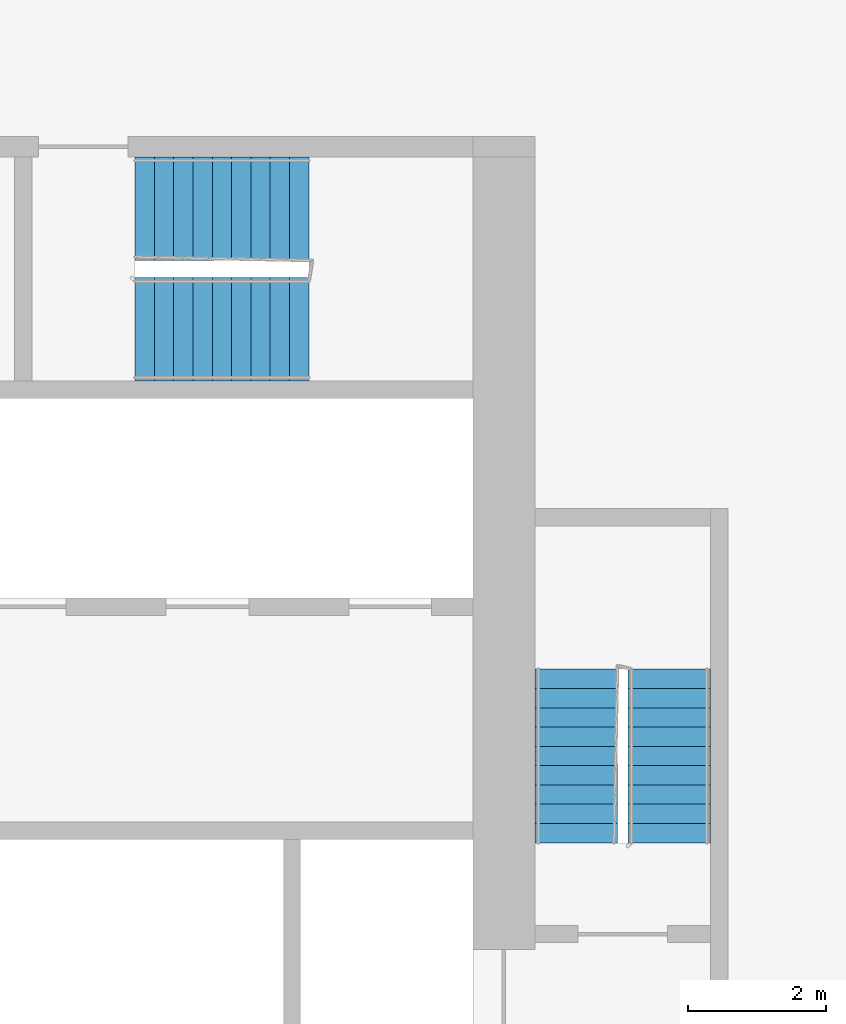
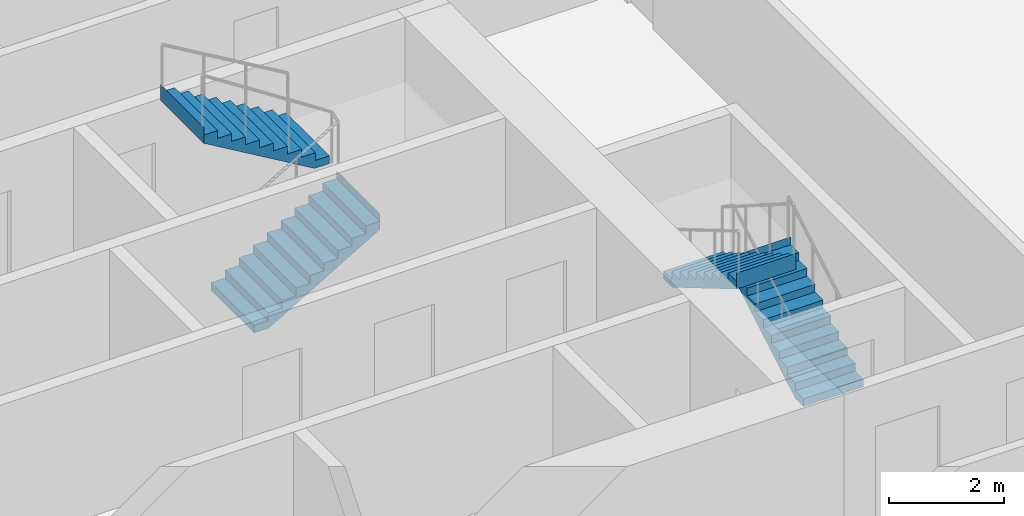
# One storey, part 11 of 12: 4 stair flights, 2 elements without a shape of their own.
"""IFC4 building model written with IfcOpenShell, lengths in metres."""

from ifc_helpers import new_model, si_unit, direction, frame, origin, place, context, subcontext, project, spatial, faceted_brep, material, type_object, element, aggregate, save


model = new_model("IFC4")

# Units and contexts
model_context = context("Model", 3, precision=1e-05, world=origin(), true_north=direction((0.0, 1.0)))
body_context = subcontext(model_context, "Body", "Model", "MODEL_VIEW")
ifc_project = project(units=[si_unit("LENGTHUNIT", "METRE"), si_unit("AREAUNIT", "SQUARE_METRE"), si_unit("VOLUMEUNIT", "CUBIC_METRE"), si_unit("PLANEANGLEUNIT", "RADIAN"), si_unit("MASSUNIT", "GRAM", prefix="KILO")], contexts=[model_context])

# Site, building, storey
site_placement = place(None, origin())
site = spatial("IfcSite", under=ifc_project, at=site_placement, CompositionType="ELEMENT")
building_placement = place(site_placement, origin())
building = spatial("IfcBuilding", under=site, at=building_placement, Name="Kajstack Hotel Tower", CompositionType="ELEMENT")
storey_placement = place(building_placement, frame((0.0, 0.0, 96.300048828125)))
storey = spatial("IfcBuildingStorey", under=building, at=storey_placement, Name="L20", CompositionType="ELEMENT", Elevation=96.300048828125)

# Stair, stair flights
ifc_material = material(Name="Concrete C40/50", Category="concrete")
stair_type_1 = type_object("IfcStairType", Name="Exit stair 1200", PredefinedType="HALF_TURN_STAIR", material=ifc_material)
stair_1_placement = place(storey_placement, origin())
stair_1 = element("IfcStair", 1, at=stair_1_placement, inside=storey, type_object=stair_type_1, Name="L20 stair E1", PredefinedType="HALF_TURN_STAIR")
stair_flight_type_1 = type_object("IfcStairFlightType", Name="Exit stair flight 1200", PredefinedType="STRAIGHT", material=ifc_material)
stair_flight_1_placement = place(storey_placement, frame((33.449951171875, 5.25, 0.0), z_axis=(0.0, 0.0, 1.0), x_axis=(0.0, 1.0, 0.0)))
stair_flight_1 = element("IfcStairFlight", 2, at=stair_flight_1_placement, type_object=stair_flight_type_1, Name="E1 flight 1", NumberOfRisers=10, NumberOfTreads=9, PredefinedType="STRAIGHT", RiserHeight=0.165, TreadLength=0.28, context=body_context, shape_type="Brep", body=[
    faceted_brep([(0.295654296875, -0.60009765625, 0.0), (2.5205078125, -0.60009765625, 1.31103515625), (2.5205078125, -0.60009765625, 1.64990234375), (2.52001953125, -0.60009765625, 1.64990234375), (2.52001953125, -0.60009765625, 1.485107421875), (2.239990234375, -0.60009765625, 1.485107421875), (2.239990234375, -0.60009765625, 1.320068359375), (1.9599609375, -0.60009765625, 1.320068359375), (1.9599609375, -0.60009765625, 1.155029296875), (1.679931640625, -0.60009765625, 1.155029296875), (1.679931640625, -0.60009765625, 0.989990234375), (1.39990234375, -0.60009765625, 0.989990234375), (1.39990234375, -0.60009765625, 0.824951171875), (1.1201171875, -0.60009765625, 0.824951171875), (1.1201171875, -0.60009765625, 0.659912109375), (0.840087890625, -0.60009765625, 0.659912109375), (0.840087890625, -0.60009765625, 0.4951171875), (0.56005859375, -0.60009765625, 0.4951171875), (0.56005859375, -0.60009765625, 0.330078125), (0.280029296875, -0.60009765625, 0.330078125), (0.280029296875, -0.60009765625, 0.1650390625), (-0.00048828125, -0.60009765625, 0.1650390625), (-0.00048828125, -0.60009765625, 0.0), (-0.00048828125, 0.60009765625, 0.0), (-0.00048828125, 0.60009765625, 0.1650390625), (0.280029296875, 0.60009765625, 0.1650390625), (0.280029296875, 0.60009765625, 0.330078125), (0.56005859375, 0.60009765625, 0.330078125), (0.56005859375, 0.60009765625, 0.4951171875), (0.840087890625, 0.60009765625, 0.4951171875), (0.840087890625, 0.60009765625, 0.659912109375), (1.1201171875, 0.60009765625, 0.659912109375), (1.1201171875, 0.60009765625, 0.824951171875), (1.39990234375, 0.60009765625, 0.824951171875), (1.39990234375, 0.60009765625, 0.989990234375), (1.679931640625, 0.60009765625, 0.989990234375), (1.679931640625, 0.60009765625, 1.155029296875), (1.9599609375, 0.60009765625, 1.155029296875), (1.9599609375, 0.60009765625, 1.320068359375), (2.239990234375, 0.60009765625, 1.320068359375), (2.239990234375, 0.60009765625, 1.485107421875), (2.52001953125, 0.60009765625, 1.485107421875), (2.52001953125, 0.60009765625, 1.64990234375), (2.5205078125, 0.60009765625, 1.64990234375), (2.5205078125, 0.60009765625, 1.31103515625), (0.295654296875, 0.60009765625, 0.0), (-0.00048828125, -0.300048828125, 0.1650390625), (-0.00048828125, 0.0, 0.1650390625), (-0.00048828125, 0.300048828125, 0.1650390625), (-0.00048828125, 0.300048828125, 0.0), (-0.00048828125, 0.0, 0.0), (-0.00048828125, -0.300048828125, 0.0), (0.280029296875, -0.300048828125, 0.1650390625), (0.280029296875, 0.0, 0.1650390625), (0.280029296875, 0.300048828125, 0.1650390625), (0.280029296875, -0.300048828125, 0.330078125), (0.280029296875, 0.0, 0.330078125), (0.280029296875, 0.300048828125, 0.330078125), (0.56005859375, -0.300048828125, 0.330078125), (0.56005859375, 0.0, 0.330078125), (0.56005859375, 0.300048828125, 0.330078125), (0.56005859375, -0.300048828125, 0.4951171875), (0.56005859375, 0.0, 0.4951171875), (0.56005859375, 0.300048828125, 0.4951171875), (0.840087890625, -0.300048828125, 0.4951171875), (0.840087890625, 0.0, 0.4951171875), (0.840087890625, 0.300048828125, 0.4951171875), (0.840087890625, -0.300048828125, 0.659912109375), (0.840087890625, 0.0, 0.659912109375), (0.840087890625, 0.300048828125, 0.659912109375), (1.1201171875, -0.300048828125, 0.659912109375), (1.1201171875, 0.0, 0.659912109375), (1.1201171875, 0.300048828125, 0.659912109375), (1.1201171875, -0.300048828125, 0.824951171875), (1.1201171875, 0.0, 0.824951171875), (1.1201171875, 0.300048828125, 0.824951171875), (1.39990234375, -0.300048828125, 0.824951171875), (1.39990234375, 0.0, 0.824951171875), (1.39990234375, 0.300048828125, 0.824951171875), (1.39990234375, -0.300048828125, 0.989990234375), (1.39990234375, 0.0, 0.989990234375), (1.39990234375, 0.300048828125, 0.989990234375), (1.679931640625, -0.300048828125, 0.989990234375), (1.679931640625, 0.0, 0.989990234375), (1.679931640625, 0.300048828125, 0.989990234375), (1.679931640625, -0.300048828125, 1.155029296875), (1.679931640625, 0.0, 1.155029296875), (1.679931640625, 0.300048828125, 1.155029296875), (1.9599609375, -0.300048828125, 1.155029296875), (1.9599609375, 0.0, 1.155029296875), (1.9599609375, 0.300048828125, 1.155029296875), (1.9599609375, -0.300048828125, 1.320068359375), (1.9599609375, 0.0, 1.320068359375), (1.9599609375, 0.300048828125, 1.320068359375), (2.239990234375, -0.300048828125, 1.320068359375), (2.239990234375, 0.0, 1.320068359375), (2.239990234375, 0.300048828125, 1.320068359375), (2.239990234375, -0.300048828125, 1.485107421875), (2.239990234375, 0.0, 1.485107421875), (2.239990234375, 0.300048828125, 1.485107421875), (2.52001953125, -0.300048828125, 1.485107421875), (2.52001953125, 0.0, 1.485107421875), (2.52001953125, 0.300048828125, 1.485107421875), (2.52001953125, -0.300048828125, 1.64990234375), (2.52001953125, 0.0, 1.64990234375), (2.52001953125, 0.300048828125, 1.64990234375), (2.5205078125, -0.300048828125, 1.64990234375), (2.5205078125, 0.0, 1.64990234375), (2.5205078125, 0.300048828125, 1.64990234375), (2.5205078125, -0.300048828125, 1.31103515625), (2.5205078125, 0.0, 1.31103515625), (2.5205078125, 0.300048828125, 1.31103515625), (0.295654296875, -0.300048828125, 0.0), (0.295654296875, 0.0, 0.0), (0.295654296875, 0.300048828125, 0.0)], [[[0, 1, 2, 3, 4, 5, 6, 7, 8, 9, 10, 11, 12, 13, 14, 15, 16, 17, 18, 19, 20, 21, 22]], [[23, 24, 25, 26, 27, 28, 29, 30, 31, 32, 33, 34, 35, 36, 37, 38, 39, 40, 41, 42, 43, 44, 45]], [[21, 46, 47, 48, 24, 23, 49, 50, 51, 22]], [[20, 52, 53, 54, 25, 24, 48, 47, 46, 21]], [[19, 55, 56, 57, 26, 25, 54, 53, 52, 20]], [[18, 58, 59, 60, 27, 26, 57, 56, 55, 19]], [[17, 61, 62, 63, 28, 27, 60, 59, 58, 18]], [[16, 64, 65, 66, 29, 28, 63, 62, 61, 17]], [[15, 67, 68, 69, 30, 29, 66, 65, 64, 16]], [[14, 70, 71, 72, 31, 30, 69, 68, 67, 15]], [[13, 73, 74, 75, 32, 31, 72, 71, 70, 14]], [[12, 76, 77, 78, 33, 32, 75, 74, 73, 13]], [[11, 79, 80, 81, 34, 33, 78, 77, 76, 12]], [[10, 82, 83, 84, 35, 34, 81, 80, 79, 11]], [[9, 85, 86, 87, 36, 35, 84, 83, 82, 10]], [[8, 88, 89, 90, 37, 36, 87, 86, 85, 9]], [[7, 91, 92, 93, 38, 37, 90, 89, 88, 8]], [[6, 94, 95, 96, 39, 38, 93, 92, 91, 7]], [[5, 97, 98, 99, 40, 39, 96, 95, 94, 6]], [[4, 100, 101, 102, 41, 40, 99, 98, 97, 5]], [[3, 103, 104, 105, 42, 41, 102, 101, 100, 4]], [[2, 106, 107, 108, 43, 42, 105, 104, 103, 3]], [[1, 109, 110, 111, 44, 43, 108, 107, 106, 2]], [[0, 112, 113, 114, 45, 44, 111, 110, 109, 1]], [[22, 51, 50, 49, 23, 45, 114, 113, 112, 0]]]),
])
stair_flight_2_placement = place(storey_placement, frame((32.10009765625, 7.77001953125, 1.64990234375), z_axis=(0.0, 0.0, 1.0), x_axis=(0.0, -1.0, 0.0)))
stair_flight_2 = element("IfcStairFlight", 3, at=stair_flight_2_placement, type_object=stair_flight_type_1, Name="E1 flight 2", NumberOfRisers=10, NumberOfTreads=9, PredefinedType="STRAIGHT", RiserHeight=0.165, TreadLength=0.28, context=body_context, shape_type="Brep", body=[
    faceted_brep([(0.295654296875, -0.60009765625, 0.0), (2.5205078125, -0.60009765625, 1.31103515625), (2.5205078125, -0.60009765625, 1.64990234375), (2.52001953125, -0.60009765625, 1.64990234375), (2.52001953125, -0.60009765625, 1.485107421875), (2.239990234375, -0.60009765625, 1.485107421875), (2.239990234375, -0.60009765625, 1.320068359375), (1.9599609375, -0.60009765625, 1.320068359375), (1.9599609375, -0.60009765625, 1.155029296875), (1.679931640625, -0.60009765625, 1.155029296875), (1.679931640625, -0.60009765625, 0.989990234375), (1.39990234375, -0.60009765625, 0.989990234375), (1.39990234375, -0.60009765625, 0.824951171875), (1.1201171875, -0.60009765625, 0.824951171875), (1.1201171875, -0.60009765625, 0.659912109375), (0.840087890625, -0.60009765625, 0.659912109375), (0.840087890625, -0.60009765625, 0.4951171875), (0.56005859375, -0.60009765625, 0.4951171875), (0.56005859375, -0.60009765625, 0.330078125), (0.280029296875, -0.60009765625, 0.330078125), (0.280029296875, -0.60009765625, 0.1650390625), (-0.00048828125, -0.60009765625, 0.1650390625), (-0.00048828125, -0.60009765625, 0.0), (-0.00048828125, 0.60009765625, 0.0), (-0.00048828125, 0.60009765625, 0.1650390625), (0.280029296875, 0.60009765625, 0.1650390625), (0.280029296875, 0.60009765625, 0.330078125), (0.56005859375, 0.60009765625, 0.330078125), (0.56005859375, 0.60009765625, 0.4951171875), (0.840087890625, 0.60009765625, 0.4951171875), (0.840087890625, 0.60009765625, 0.659912109375), (1.1201171875, 0.60009765625, 0.659912109375), (1.1201171875, 0.60009765625, 0.824951171875), (1.39990234375, 0.60009765625, 0.824951171875), (1.39990234375, 0.60009765625, 0.989990234375), (1.679931640625, 0.60009765625, 0.989990234375), (1.679931640625, 0.60009765625, 1.155029296875), (1.9599609375, 0.60009765625, 1.155029296875), (1.9599609375, 0.60009765625, 1.320068359375), (2.239990234375, 0.60009765625, 1.320068359375), (2.239990234375, 0.60009765625, 1.485107421875), (2.52001953125, 0.60009765625, 1.485107421875), (2.52001953125, 0.60009765625, 1.64990234375), (2.5205078125, 0.60009765625, 1.64990234375), (2.5205078125, 0.60009765625, 1.31103515625), (0.295654296875, 0.60009765625, 0.0), (-0.00048828125, -0.300048828125, 0.1650390625), (-0.00048828125, 0.0, 0.1650390625), (-0.00048828125, 0.300048828125, 0.1650390625), (-0.00048828125, 0.300048828125, 0.0), (-0.00048828125, 0.0, 0.0), (-0.00048828125, -0.300048828125, 0.0), (0.280029296875, -0.300048828125, 0.1650390625), (0.280029296875, 0.0, 0.1650390625), (0.280029296875, 0.300048828125, 0.1650390625), (0.280029296875, -0.300048828125, 0.330078125), (0.280029296875, 0.0, 0.330078125), (0.280029296875, 0.300048828125, 0.330078125), (0.56005859375, -0.300048828125, 0.330078125), (0.56005859375, 0.0, 0.330078125), (0.56005859375, 0.300048828125, 0.330078125), (0.56005859375, -0.300048828125, 0.4951171875), (0.56005859375, 0.0, 0.4951171875), (0.56005859375, 0.300048828125, 0.4951171875), (0.840087890625, -0.300048828125, 0.4951171875), (0.840087890625, 0.0, 0.4951171875), (0.840087890625, 0.300048828125, 0.4951171875), (0.840087890625, -0.300048828125, 0.659912109375), (0.840087890625, 0.0, 0.659912109375), (0.840087890625, 0.300048828125, 0.659912109375), (1.1201171875, -0.300048828125, 0.659912109375), (1.1201171875, 0.0, 0.659912109375), (1.1201171875, 0.300048828125, 0.659912109375), (1.1201171875, -0.300048828125, 0.824951171875), (1.1201171875, 0.0, 0.824951171875), (1.1201171875, 0.300048828125, 0.824951171875), (1.39990234375, -0.300048828125, 0.824951171875), (1.39990234375, 0.0, 0.824951171875), (1.39990234375, 0.300048828125, 0.824951171875), (1.39990234375, -0.300048828125, 0.989990234375), (1.39990234375, 0.0, 0.989990234375), (1.39990234375, 0.300048828125, 0.989990234375), (1.679931640625, -0.300048828125, 0.989990234375), (1.679931640625, 0.0, 0.989990234375), (1.679931640625, 0.300048828125, 0.989990234375), (1.679931640625, -0.300048828125, 1.155029296875), (1.679931640625, 0.0, 1.155029296875), (1.679931640625, 0.300048828125, 1.155029296875), (1.9599609375, -0.300048828125, 1.155029296875), (1.9599609375, 0.0, 1.155029296875), (1.9599609375, 0.300048828125, 1.155029296875), (1.9599609375, -0.300048828125, 1.320068359375), (1.9599609375, 0.0, 1.320068359375), (1.9599609375, 0.300048828125, 1.320068359375), (2.239990234375, -0.300048828125, 1.320068359375), (2.239990234375, 0.0, 1.320068359375), (2.239990234375, 0.300048828125, 1.320068359375), (2.239990234375, -0.300048828125, 1.485107421875), (2.239990234375, 0.0, 1.485107421875), (2.239990234375, 0.300048828125, 1.485107421875), (2.52001953125, -0.300048828125, 1.485107421875), (2.52001953125, 0.0, 1.485107421875), (2.52001953125, 0.300048828125, 1.485107421875), (2.52001953125, -0.300048828125, 1.64990234375), (2.52001953125, 0.0, 1.64990234375), (2.52001953125, 0.300048828125, 1.64990234375), (2.5205078125, -0.300048828125, 1.64990234375), (2.5205078125, 0.0, 1.64990234375), (2.5205078125, 0.300048828125, 1.64990234375), (2.5205078125, -0.300048828125, 1.31103515625), (2.5205078125, 0.0, 1.31103515625), (2.5205078125, 0.300048828125, 1.31103515625), (0.295654296875, -0.300048828125, 0.0), (0.295654296875, 0.0, 0.0), (0.295654296875, 0.300048828125, 0.0)], [[[0, 1, 2, 3, 4, 5, 6, 7, 8, 9, 10, 11, 12, 13, 14, 15, 16, 17, 18, 19, 20, 21, 22]], [[23, 24, 25, 26, 27, 28, 29, 30, 31, 32, 33, 34, 35, 36, 37, 38, 39, 40, 41, 42, 43, 44, 45]], [[21, 46, 47, 48, 24, 23, 49, 50, 51, 22]], [[20, 52, 53, 54, 25, 24, 48, 47, 46, 21]], [[19, 55, 56, 57, 26, 25, 54, 53, 52, 20]], [[18, 58, 59, 60, 27, 26, 57, 56, 55, 19]], [[17, 61, 62, 63, 28, 27, 60, 59, 58, 18]], [[16, 64, 65, 66, 29, 28, 63, 62, 61, 17]], [[15, 67, 68, 69, 30, 29, 66, 65, 64, 16]], [[14, 70, 71, 72, 31, 30, 69, 68, 67, 15]], [[13, 73, 74, 75, 32, 31, 72, 71, 70, 14]], [[12, 76, 77, 78, 33, 32, 75, 74, 73, 13]], [[11, 79, 80, 81, 34, 33, 78, 77, 76, 12]], [[10, 82, 83, 84, 35, 34, 81, 80, 79, 11]], [[9, 85, 86, 87, 36, 35, 84, 83, 82, 10]], [[8, 88, 89, 90, 37, 36, 87, 86, 85, 9]], [[7, 91, 92, 93, 38, 37, 90, 89, 88, 8]], [[6, 94, 95, 96, 39, 38, 93, 92, 91, 7]], [[5, 97, 98, 99, 40, 39, 96, 95, 94, 6]], [[4, 100, 101, 102, 41, 40, 99, 98, 97, 5]], [[3, 103, 104, 105, 42, 41, 102, 101, 100, 4]], [[2, 106, 107, 108, 43, 42, 105, 104, 103, 3]], [[1, 109, 110, 111, 44, 43, 108, 107, 106, 2]], [[0, 112, 113, 114, 45, 44, 111, 110, 109, 1]], [[22, 51, 50, 49, 23, 45, 114, 113, 112, 0]]]),
])
aggregate(stair_1, [stair_flight_1, stair_flight_2])

stair_type_2 = type_object("IfcStairType", Name="Exit stair 1500", PredefinedType="HALF_TURN_STAIR", material=ifc_material)
stair_2_placement = place(storey_placement, origin())
stair_2 = element("IfcStair", 4, at=stair_2_placement, inside=storey, type_object=stair_type_2, Name="L20 stair E3", PredefinedType="HALF_TURN_STAIR")
stair_flight_type_2 = type_object("IfcStairFlightType", Name="Exit stair flight 1500", PredefinedType="STRAIGHT", material=ifc_material)
stair_flight_3_placement = place(storey_placement, frame((25.699951171875, 12.699951171875, 0.0), z_axis=(0.0, 0.0, 1.0), x_axis=(1.0, 0.0, 0.0)))
stair_flight_3 = element("IfcStairFlight", 5, at=stair_flight_3_placement, type_object=stair_flight_type_2, Name="E3 flight 1", NumberOfRisers=10, NumberOfTreads=9, PredefinedType="STRAIGHT", RiserHeight=0.165, TreadLength=0.28, context=body_context, shape_type="Brep", body=[
    faceted_brep([(0.295654296875, -0.75, 0.0), (2.5205078125, -0.75, 1.31103515625), (2.5205078125, -0.75, 1.64990234375), (2.52001953125, -0.75, 1.64990234375), (2.52001953125, -0.75, 1.485107421875), (2.239990234375, -0.75, 1.485107421875), (2.239990234375, -0.75, 1.320068359375), (1.9599609375, -0.75, 1.320068359375), (1.9599609375, -0.75, 1.155029296875), (1.679931640625, -0.75, 1.155029296875), (1.679931640625, -0.75, 0.989990234375), (1.39990234375, -0.75, 0.989990234375), (1.39990234375, -0.75, 0.824951171875), (1.1201171875, -0.75, 0.824951171875), (1.1201171875, -0.75, 0.659912109375), (0.840087890625, -0.75, 0.659912109375), (0.840087890625, -0.75, 0.4951171875), (0.56005859375, -0.75, 0.4951171875), (0.56005859375, -0.75, 0.330078125), (0.280029296875, -0.75, 0.330078125), (0.280029296875, -0.75, 0.1650390625), (-0.00048828125, -0.75, 0.1650390625), (-0.00048828125, -0.75, 0.0), (-0.00048828125, 0.75, 0.0), (-0.00048828125, 0.75, 0.1650390625), (0.280029296875, 0.75, 0.1650390625), (0.280029296875, 0.75, 0.330078125), (0.56005859375, 0.75, 0.330078125), (0.56005859375, 0.75, 0.4951171875), (0.840087890625, 0.75, 0.4951171875), (0.840087890625, 0.75, 0.659912109375), (1.1201171875, 0.75, 0.659912109375), (1.1201171875, 0.75, 0.824951171875), (1.39990234375, 0.75, 0.824951171875), (1.39990234375, 0.75, 0.989990234375), (1.679931640625, 0.75, 0.989990234375), (1.679931640625, 0.75, 1.155029296875), (1.9599609375, 0.75, 1.155029296875), (1.9599609375, 0.75, 1.320068359375), (2.239990234375, 0.75, 1.320068359375), (2.239990234375, 0.75, 1.485107421875), (2.52001953125, 0.75, 1.485107421875), (2.52001953125, 0.75, 1.64990234375), (2.5205078125, 0.75, 1.64990234375), (2.5205078125, 0.75, 1.31103515625), (0.295654296875, 0.75, 0.0), (-0.00048828125, -0.375, 0.1650390625), (-0.00048828125, 0.0, 0.1650390625), (-0.00048828125, 0.375, 0.1650390625), (-0.00048828125, 0.375, 0.0), (-0.00048828125, 0.0, 0.0), (-0.00048828125, -0.375, 0.0), (0.280029296875, -0.375, 0.1650390625), (0.280029296875, 0.0, 0.1650390625), (0.280029296875, 0.375, 0.1650390625), (0.280029296875, -0.375, 0.330078125), (0.280029296875, 0.0, 0.330078125), (0.280029296875, 0.375, 0.330078125), (0.56005859375, -0.375, 0.330078125), (0.56005859375, 0.0, 0.330078125), (0.56005859375, 0.375, 0.330078125), (0.56005859375, -0.375, 0.4951171875), (0.56005859375, 0.0, 0.4951171875), (0.56005859375, 0.375, 0.4951171875), (0.840087890625, -0.375, 0.4951171875), (0.840087890625, 0.0, 0.4951171875), (0.840087890625, 0.375, 0.4951171875), (0.840087890625, -0.375, 0.659912109375), (0.840087890625, 0.0, 0.659912109375), (0.840087890625, 0.375, 0.659912109375), (1.1201171875, -0.375, 0.659912109375), (1.1201171875, 0.0, 0.659912109375), (1.1201171875, 0.375, 0.659912109375), (1.1201171875, -0.375, 0.824951171875), (1.1201171875, 0.0, 0.824951171875), (1.1201171875, 0.375, 0.824951171875), (1.39990234375, -0.375, 0.824951171875), (1.39990234375, 0.0, 0.824951171875), (1.39990234375, 0.375, 0.824951171875), (1.39990234375, -0.375, 0.989990234375), (1.39990234375, 0.0, 0.989990234375), (1.39990234375, 0.375, 0.989990234375), (1.679931640625, -0.375, 0.989990234375), (1.679931640625, 0.0, 0.989990234375), (1.679931640625, 0.375, 0.989990234375), (1.679931640625, -0.375, 1.155029296875), (1.679931640625, 0.0, 1.155029296875), (1.679931640625, 0.375, 1.155029296875), (1.9599609375, -0.375, 1.155029296875), (1.9599609375, 0.0, 1.155029296875), (1.9599609375, 0.375, 1.155029296875), (1.9599609375, -0.375, 1.320068359375), (1.9599609375, 0.0, 1.320068359375), (1.9599609375, 0.375, 1.320068359375), (2.239990234375, -0.375, 1.320068359375), (2.239990234375, 0.0, 1.320068359375), (2.239990234375, 0.375, 1.320068359375), (2.239990234375, -0.375, 1.485107421875), (2.239990234375, 0.0, 1.485107421875), (2.239990234375, 0.375, 1.485107421875), (2.52001953125, -0.375, 1.485107421875), (2.52001953125, 0.0, 1.485107421875), (2.52001953125, 0.375, 1.485107421875), (2.52001953125, -0.375, 1.64990234375), (2.52001953125, 0.0, 1.64990234375), (2.52001953125, 0.375, 1.64990234375), (2.5205078125, -0.375, 1.64990234375), (2.5205078125, 0.0, 1.64990234375), (2.5205078125, 0.375, 1.64990234375), (2.5205078125, -0.375, 1.31103515625), (2.5205078125, 0.0, 1.31103515625), (2.5205078125, 0.375, 1.31103515625), (0.295654296875, -0.375, 0.0), (0.295654296875, 0.0, 0.0), (0.295654296875, 0.375, 0.0)], [[[0, 1, 2, 3, 4, 5, 6, 7, 8, 9, 10, 11, 12, 13, 14, 15, 16, 17, 18, 19, 20, 21, 22]], [[23, 24, 25, 26, 27, 28, 29, 30, 31, 32, 33, 34, 35, 36, 37, 38, 39, 40, 41, 42, 43, 44, 45]], [[21, 46, 47, 48, 24, 23, 49, 50, 51, 22]], [[20, 52, 53, 54, 25, 24, 48, 47, 46, 21]], [[19, 55, 56, 57, 26, 25, 54, 53, 52, 20]], [[18, 58, 59, 60, 27, 26, 57, 56, 55, 19]], [[17, 61, 62, 63, 28, 27, 60, 59, 58, 18]], [[16, 64, 65, 66, 29, 28, 63, 62, 61, 17]], [[15, 67, 68, 69, 30, 29, 66, 65, 64, 16]], [[14, 70, 71, 72, 31, 30, 69, 68, 67, 15]], [[13, 73, 74, 75, 32, 31, 72, 71, 70, 14]], [[12, 76, 77, 78, 33, 32, 75, 74, 73, 13]], [[11, 79, 80, 81, 34, 33, 78, 77, 76, 12]], [[10, 82, 83, 84, 35, 34, 81, 80, 79, 11]], [[9, 85, 86, 87, 36, 35, 84, 83, 82, 10]], [[8, 88, 89, 90, 37, 36, 87, 86, 85, 9]], [[7, 91, 92, 93, 38, 37, 90, 89, 88, 8]], [[6, 94, 95, 96, 39, 38, 93, 92, 91, 7]], [[5, 97, 98, 99, 40, 39, 96, 95, 94, 6]], [[4, 100, 101, 102, 41, 40, 99, 98, 97, 5]], [[3, 103, 104, 105, 42, 41, 102, 101, 100, 4]], [[2, 106, 107, 108, 43, 42, 105, 104, 103, 3]], [[1, 109, 110, 111, 44, 43, 108, 107, 106, 2]], [[0, 112, 113, 114, 45, 44, 111, 110, 109, 1]], [[22, 51, 50, 49, 23, 45, 114, 113, 112, 0]]]),
])
stair_flight_4_placement = place(storey_placement, frame((28.219970703125, 14.449951171875, 1.64990234375), z_axis=(0.0, 0.0, 1.0), x_axis=(-1.0, 0.0, 0.0)))
stair_flight_4 = element("IfcStairFlight", 6, at=stair_flight_4_placement, type_object=stair_flight_type_2, Name="E3 flight 2", NumberOfRisers=10, NumberOfTreads=9, PredefinedType="STRAIGHT", RiserHeight=0.165, TreadLength=0.28, context=body_context, shape_type="Brep", body=[
    faceted_brep([(0.295654296875, -0.75, 0.0), (2.5205078125, -0.75, 1.31103515625), (2.5205078125, -0.75, 1.64990234375), (2.52001953125, -0.75, 1.64990234375), (2.52001953125, -0.75, 1.485107421875), (2.239990234375, -0.75, 1.485107421875), (2.239990234375, -0.75, 1.320068359375), (1.9599609375, -0.75, 1.320068359375), (1.9599609375, -0.75, 1.155029296875), (1.679931640625, -0.75, 1.155029296875), (1.679931640625, -0.75, 0.989990234375), (1.39990234375, -0.75, 0.989990234375), (1.39990234375, -0.75, 0.824951171875), (1.1201171875, -0.75, 0.824951171875), (1.1201171875, -0.75, 0.659912109375), (0.840087890625, -0.75, 0.659912109375), (0.840087890625, -0.75, 0.4951171875), (0.56005859375, -0.75, 0.4951171875), (0.56005859375, -0.75, 0.330078125), (0.280029296875, -0.75, 0.330078125), (0.280029296875, -0.75, 0.1650390625), (-0.00048828125, -0.75, 0.1650390625), (-0.00048828125, -0.75, 0.0), (-0.00048828125, 0.75, 0.0), (-0.00048828125, 0.75, 0.1650390625), (0.280029296875, 0.75, 0.1650390625), (0.280029296875, 0.75, 0.330078125), (0.56005859375, 0.75, 0.330078125), (0.56005859375, 0.75, 0.4951171875), (0.840087890625, 0.75, 0.4951171875), (0.840087890625, 0.75, 0.659912109375), (1.1201171875, 0.75, 0.659912109375), (1.1201171875, 0.75, 0.824951171875), (1.39990234375, 0.75, 0.824951171875), (1.39990234375, 0.75, 0.989990234375), (1.679931640625, 0.75, 0.989990234375), (1.679931640625, 0.75, 1.155029296875), (1.9599609375, 0.75, 1.155029296875), (1.9599609375, 0.75, 1.320068359375), (2.239990234375, 0.75, 1.320068359375), (2.239990234375, 0.75, 1.485107421875), (2.52001953125, 0.75, 1.485107421875), (2.52001953125, 0.75, 1.64990234375), (2.5205078125, 0.75, 1.64990234375), (2.5205078125, 0.75, 1.31103515625), (0.295654296875, 0.75, 0.0), (-0.00048828125, -0.375, 0.1650390625), (-0.00048828125, 0.0, 0.1650390625), (-0.00048828125, 0.375, 0.1650390625), (-0.00048828125, 0.375, 0.0), (-0.00048828125, 0.0, 0.0), (-0.00048828125, -0.375, 0.0), (0.280029296875, -0.375, 0.1650390625), (0.280029296875, 0.0, 0.1650390625), (0.280029296875, 0.375, 0.1650390625), (0.280029296875, -0.375, 0.330078125), (0.280029296875, 0.0, 0.330078125), (0.280029296875, 0.375, 0.330078125), (0.56005859375, -0.375, 0.330078125), (0.56005859375, 0.0, 0.330078125), (0.56005859375, 0.375, 0.330078125), (0.56005859375, -0.375, 0.4951171875), (0.56005859375, 0.0, 0.4951171875), (0.56005859375, 0.375, 0.4951171875), (0.840087890625, -0.375, 0.4951171875), (0.840087890625, 0.0, 0.4951171875), (0.840087890625, 0.375, 0.4951171875), (0.840087890625, -0.375, 0.659912109375), (0.840087890625, 0.0, 0.659912109375), (0.840087890625, 0.375, 0.659912109375), (1.1201171875, -0.375, 0.659912109375), (1.1201171875, 0.0, 0.659912109375), (1.1201171875, 0.375, 0.659912109375), (1.1201171875, -0.375, 0.824951171875), (1.1201171875, 0.0, 0.824951171875), (1.1201171875, 0.375, 0.824951171875), (1.39990234375, -0.375, 0.824951171875), (1.39990234375, 0.0, 0.824951171875), (1.39990234375, 0.375, 0.824951171875), (1.39990234375, -0.375, 0.989990234375), (1.39990234375, 0.0, 0.989990234375), (1.39990234375, 0.375, 0.989990234375), (1.679931640625, -0.375, 0.989990234375), (1.679931640625, 0.0, 0.989990234375), (1.679931640625, 0.375, 0.989990234375), (1.679931640625, -0.375, 1.155029296875), (1.679931640625, 0.0, 1.155029296875), (1.679931640625, 0.375, 1.155029296875), (1.9599609375, -0.375, 1.155029296875), (1.9599609375, 0.0, 1.155029296875), (1.9599609375, 0.375, 1.155029296875), (1.9599609375, -0.375, 1.320068359375), (1.9599609375, 0.0, 1.320068359375), (1.9599609375, 0.375, 1.320068359375), (2.239990234375, -0.375, 1.320068359375), (2.239990234375, 0.0, 1.320068359375), (2.239990234375, 0.375, 1.320068359375), (2.239990234375, -0.375, 1.485107421875), (2.239990234375, 0.0, 1.485107421875), (2.239990234375, 0.375, 1.485107421875), (2.52001953125, -0.375, 1.485107421875), (2.52001953125, 0.0, 1.485107421875), (2.52001953125, 0.375, 1.485107421875), (2.52001953125, -0.375, 1.64990234375), (2.52001953125, 0.0, 1.64990234375), (2.52001953125, 0.375, 1.64990234375), (2.5205078125, -0.375, 1.64990234375), (2.5205078125, 0.0, 1.64990234375), (2.5205078125, 0.375, 1.64990234375), (2.5205078125, -0.375, 1.31103515625), (2.5205078125, 0.0, 1.31103515625), (2.5205078125, 0.375, 1.31103515625), (0.295654296875, -0.375, 0.0), (0.295654296875, 0.0, 0.0), (0.295654296875, 0.375, 0.0)], [[[0, 1, 2, 3, 4, 5, 6, 7, 8, 9, 10, 11, 12, 13, 14, 15, 16, 17, 18, 19, 20, 21, 22]], [[23, 24, 25, 26, 27, 28, 29, 30, 31, 32, 33, 34, 35, 36, 37, 38, 39, 40, 41, 42, 43, 44, 45]], [[21, 46, 47, 48, 24, 23, 49, 50, 51, 22]], [[20, 52, 53, 54, 25, 24, 48, 47, 46, 21]], [[19, 55, 56, 57, 26, 25, 54, 53, 52, 20]], [[18, 58, 59, 60, 27, 26, 57, 56, 55, 19]], [[17, 61, 62, 63, 28, 27, 60, 59, 58, 18]], [[16, 64, 65, 66, 29, 28, 63, 62, 61, 17]], [[15, 67, 68, 69, 30, 29, 66, 65, 64, 16]], [[14, 70, 71, 72, 31, 30, 69, 68, 67, 15]], [[13, 73, 74, 75, 32, 31, 72, 71, 70, 14]], [[12, 76, 77, 78, 33, 32, 75, 74, 73, 13]], [[11, 79, 80, 81, 34, 33, 78, 77, 76, 12]], [[10, 82, 83, 84, 35, 34, 81, 80, 79, 11]], [[9, 85, 86, 87, 36, 35, 84, 83, 82, 10]], [[8, 88, 89, 90, 37, 36, 87, 86, 85, 9]], [[7, 91, 92, 93, 38, 37, 90, 89, 88, 8]], [[6, 94, 95, 96, 39, 38, 93, 92, 91, 7]], [[5, 97, 98, 99, 40, 39, 96, 95, 94, 6]], [[4, 100, 101, 102, 41, 40, 99, 98, 97, 5]], [[3, 103, 104, 105, 42, 41, 102, 101, 100, 4]], [[2, 106, 107, 108, 43, 42, 105, 104, 103, 3]], [[1, 109, 110, 111, 44, 43, 108, 107, 106, 2]], [[0, 112, 113, 114, 45, 44, 111, 110, 109, 1]], [[22, 51, 50, 49, 23, 45, 114, 113, 112, 0]]]),
])
aggregate(stair_2, [stair_flight_3, stair_flight_4])

save(model, "model.ifc")
